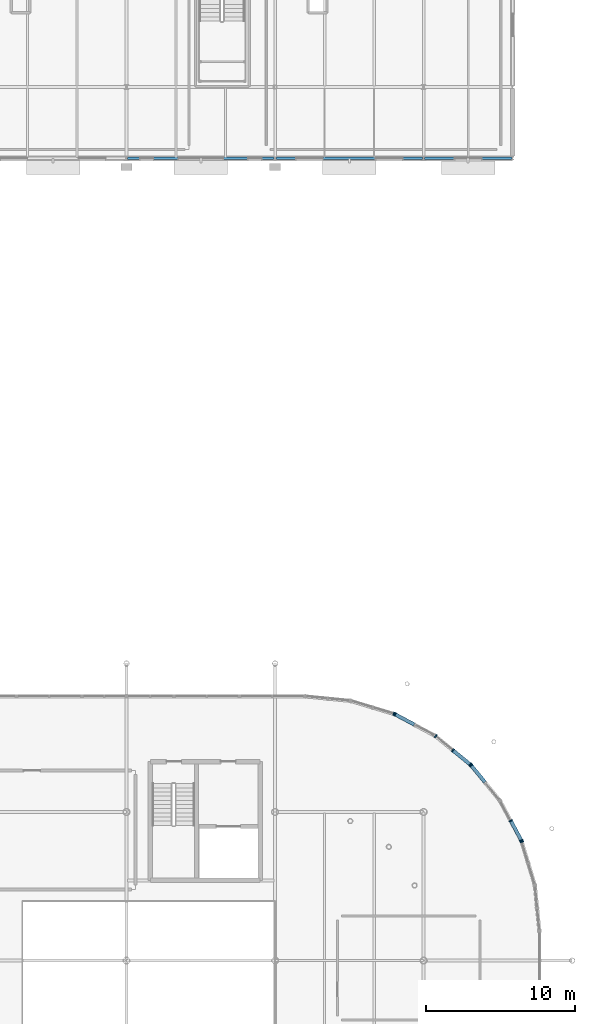
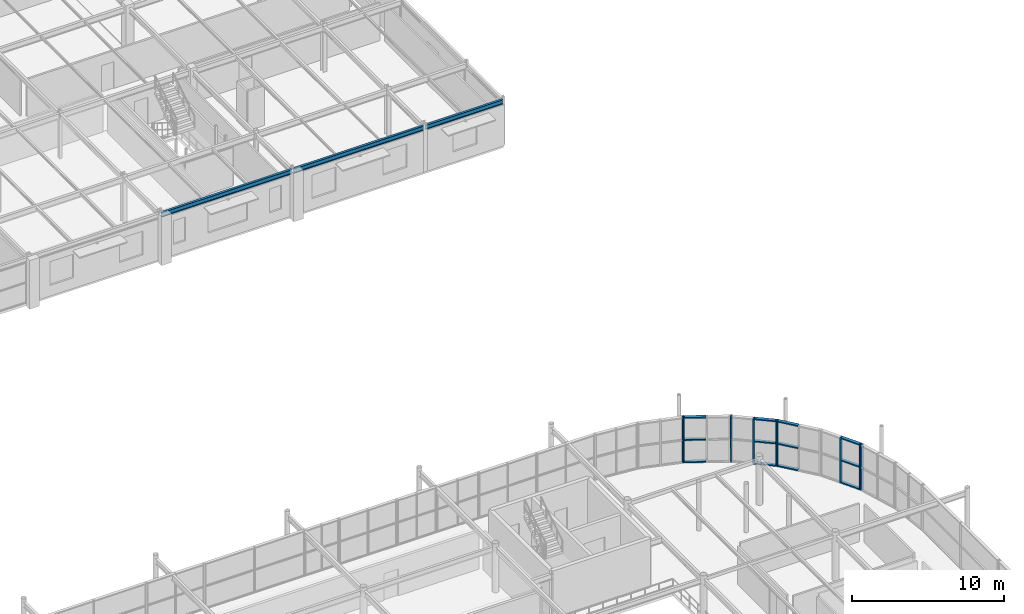
# One storey, part 62 of 98: 21 members, 3 beams, 6 elements without a shape of their own.
"""IFC4 building model written with IfcOpenShell, lengths in metres."""

from ifc_helpers import new_model, si_unit, derived_unit, direction, frame, origin, origin_2d_with_axis, place, context, subcontext, project, spatial, rectangle, i_section, extrude, material, material_profile, profile_set, type_object, element, aggregate, save


model = new_model("IFC4")

# Units and contexts
model_context = context("Model", 3, precision=1e-05, world=origin(), true_north=direction((0.0, 1.0)))
body_context = subcontext(model_context, "Body", "Model", "MODEL_VIEW")
ifc_project = project(units=[si_unit("LENGTHUNIT", "METRE"), si_unit("AREAUNIT", "SQUARE_METRE"), si_unit("VOLUMEUNIT", "CUBIC_METRE"), si_unit("PLANEANGLEUNIT", "RADIAN"), si_unit("MASSUNIT", "GRAM", prefix="KILO"), derived_unit("THERMALTRANSMITTANCEUNIT", [(si_unit("POWERUNIT", "WATT"), 1), (si_unit("LENGTHUNIT", "METRE"), -2), (si_unit("THERMODYNAMICTEMPERATUREUNIT", "KELVIN"), -1)])], contexts=[model_context])

# Site, building, storey
site_placement = place(None, origin())
site = spatial("IfcSite", under=ifc_project, at=site_placement, CompositionType="ELEMENT")
building_placement = place(site_placement, origin())
building = spatial("IfcBuilding", under=site, at=building_placement, Name="Cinnabar Yard Market Hall", CompositionType="ELEMENT")
storey_placement = place(building_placement, frame((0.0, 0.0, 4.5)))
storey = spatial("IfcBuildingStorey", under=building, at=storey_placement, Name="L01", CompositionType="ELEMENT", Elevation=4.5)

# Beams
ifc_material_1 = material(Name="Steel Grade 300 (300 MPa)", Category="steel")
ifc_material_profile_1 = material_profile(ifc_material_1, i_section(OverallWidth=0.172119140625, OverallDepth=0.358642578125, WebThickness=0.008056640625, FlangeThickness=0.012939453125, FilletRadius=0.011474609375, at=origin_2d_with_axis()), Name="360UB56.7")
ifc_profile_set_1 = profile_set([ifc_material_profile_1], Name="Steel Grade 300 (300 MPa)")
beam_type = type_object("IfcBeamType", Name="BM-SP02E", PredefinedType="SPANDREL", material=ifc_profile_set_1)
for number, where, z_axis, x_axis, name in (
    (1, (136.06005859375, 108.0, 3.470703125), (1.0, 0.0, 0.0), (0.0, 1.0, 0.0), "V3 L01 Girder X 01058"),
    (2, (146.06005859375, 108.0, 3.470703125), (1.0, 0.0, 0.0), (0.0, 1.0, 0.0), "V3 L01 Girder X 01063"),
):
    element("IfcBeam", number, at=place(storey_placement, frame(where, z_axis=z_axis, x_axis=x_axis)), inside=storey, type_object=beam_type, Name=name, PredefinedType="SPANDREL", context=body_context, shape_type="SweptSolid", body=[
        extrude(i_section(OverallWidth=0.172119140625, OverallDepth=0.358642578125, WebThickness=0.008056640625, FlangeThickness=0.012939453125, FilletRadius=0.011474609375, at=origin_2d_with_axis()), origin(), (0.0, 0.0, 1.0), 9.8798828125),
    ])
beam_placement = place(storey_placement, frame((156.06005859375, 108.0, 3.470703125), z_axis=(1.0, 0.0, 0.0), x_axis=(0.0, 1.0, 0.0)))
element("IfcBeam", 3, at=beam_placement, inside=storey, type_object=beam_type, Name="V3 L01 Girder X 01068", PredefinedType="SPANDREL", context=body_context, shape_type="SweptSolid", body=[
    extrude(i_section(OverallWidth=0.172119140625, OverallDepth=0.358642578125, WebThickness=0.008056640625, FlangeThickness=0.012939453125, FilletRadius=0.011474609375, at=origin_2d_with_axis()), origin(), (0.0, 0.0, 1.0), 5.8798828125),
])

# Curtain wall, member
ifc_material_2 = material(Name="Anodised bronze aluminium curved-chord facade", Category="aluminium")
curtain_wall_type = type_object("IfcCurtainWallType", Name="CW-CWC031x36", PredefinedType="NOTDEFINED", material=ifc_material_2)
curtain_wall_1_placement = place(storey_placement, origin())
curtain_wall_1 = element("IfcCurtainWall", 4, at=curtain_wall_1_placement, inside=storey, type_object=curtain_wall_type, Name="Corner NE Chord 2 L01", PredefinedType="NOTDEFINED")
ifc_material_3 = material(Name="Anodised bronze aluminium", Category="aluminium")
ifc_material_profile_2 = material_profile(ifc_material_3, rectangle(XDim=0.239990234375, YDim=0.090087890625, at=origin_2d_with_axis()), Name="MUL-CWC")
ifc_profile_set_2 = profile_set([ifc_material_profile_2], Name="Anodised bronze aluminium")
member_type_1 = type_object("IfcMemberType", Name="CWM-CWC", PredefinedType="MULLION", material=ifc_profile_set_2)
member_1_placement = place(storey_placement, frame((162.6103515625, 62.00341796875, 0.0), z_axis=(0.0, 0.0, 1.0), x_axis=(-0.956942090856, -0.290278891325, 0.0)))
member_1 = element("IfcMember", 5, at=member_1_placement, type_object=member_type_1, Name="CWC031x36 mullion 3", PredefinedType="MULLION", context=body_context, shape_type="SweptSolid", body=[
    extrude(rectangle(XDim=0.239990234375, YDim=0.090087890625, at=origin_2d_with_axis()), origin(), (0.0, 0.0, 1.0), 3.64990234375),
])
aggregate(curtain_wall_1, [member_1])

# Curtain wall, members
curtain_wall_2_placement = place(storey_placement, origin())
curtain_wall_2 = element("IfcCurtainWall", 6, at=curtain_wall_2_placement, inside=storey, type_object=curtain_wall_type, Name="Corner NE Chord 3 L01", PredefinedType="NOTDEFINED")
member_2_placement = place(storey_placement, frame((162.576171875, 62.086181640625, 0.0), z_axis=(0.0, 0.0, 1.0), x_axis=(-0.881917320707, -0.471404114786, 0.0)))
member_2 = element("IfcMember", 7, at=member_2_placement, type_object=member_type_1, Name="CWC031x36 mullion 1", PredefinedType="MULLION", context=body_context, shape_type="SweptSolid", body=[
    extrude(rectangle(XDim=0.239990234375, YDim=0.090087890625, at=origin_2d_with_axis()), origin(), (0.0, 0.0, 1.0), 3.64990234375),
])
member_3_placement = place(storey_placement, frame((161.8671875, 63.412109375, 0.0), z_axis=(0.0, 0.0, 1.0), x_axis=(-0.881917320707, -0.471404114786, 0.0)))
member_3 = element("IfcMember", 8, at=member_3_placement, type_object=member_type_1, Name="CWC031x36 mullion 2", PredefinedType="MULLION", context=body_context, shape_type="SweptSolid", body=[
    extrude(rectangle(XDim=0.239990234375, YDim=0.090087890625, at=origin_2d_with_axis()), origin(), (0.0, 0.0, 1.0), 3.64990234375),
])

# Curtain wall, member
curtain_wall_3_placement = place(storey_placement, origin())
curtain_wall_3 = element("IfcCurtainWall", 9, at=curtain_wall_3_placement, inside=storey, type_object=curtain_wall_type, Name="Corner NE Chord 4 L01", PredefinedType="NOTDEFINED")
member_4_placement = place(storey_placement, frame((159.200927734375, 67.137451171875, 0.0), z_axis=(0.0, 0.0, 1.0), x_axis=(-0.773018564222, -0.634383400924, 0.0)))
member_4 = element("IfcMember", 10, at=member_4_placement, type_object=member_type_1, Name="CWC031x36 mullion 3", PredefinedType="MULLION", context=body_context, shape_type="SweptSolid", body=[
    extrude(rectangle(XDim=0.239990234375, YDim=0.090087890625, at=origin_2d_with_axis()), origin(), (0.0, 0.0, 1.0), 3.64990234375),
])

# Curtain wall, members
curtain_wall_4_placement = place(storey_placement, origin())
curtain_wall_4 = element("IfcCurtainWall", 11, at=curtain_wall_4_placement, inside=storey, type_object=curtain_wall_type, Name="Corner NE Chord 5 L01", PredefinedType="NOTDEFINED")
member_5_placement = place(storey_placement, frame((159.137451171875, 67.200927734375, 0.0), z_axis=(0.0, 0.0, 1.0), x_axis=(-0.634383400924, -0.773018564222, 0.0)))
member_5 = element("IfcMember", 12, at=member_5_placement, type_object=member_type_1, Name="CWC031x36 mullion 1", PredefinedType="MULLION", context=body_context, shape_type="SweptSolid", body=[
    extrude(rectangle(XDim=0.239990234375, YDim=0.090087890625, at=origin_2d_with_axis()), origin(), (0.0, 0.0, 1.0), 3.64990234375),
])
member_6_placement = place(storey_placement, frame((157.97509765625, 68.15478515625, 0.0), z_axis=(0.0, 0.0, 1.0), x_axis=(-0.634383400924, -0.773018564222, 0.0)))
member_6 = element("IfcMember", 13, at=member_6_placement, type_object=member_type_1, Name="CWC031x36 mullion 2", PredefinedType="MULLION", context=body_context, shape_type="SweptSolid", body=[
    extrude(rectangle(XDim=0.239990234375, YDim=0.090087890625, at=origin_2d_with_axis()), origin(), (0.0, 0.0, 1.0), 3.64990234375),
])
member_7_placement = place(storey_placement, frame((156.812744140625, 69.108642578125, 0.0), z_axis=(0.0, 0.0, 1.0), x_axis=(-0.634383400924, -0.773018564222, 0.0)))
member_7 = element("IfcMember", 14, at=member_7_placement, type_object=member_type_1, Name="CWC031x36 mullion 3", PredefinedType="MULLION", context=body_context, shape_type="SweptSolid", body=[
    extrude(rectangle(XDim=0.239990234375, YDim=0.090087890625, at=origin_2d_with_axis()), origin(), (0.0, 0.0, 1.0), 3.64990234375),
])

# Curtain wall, member
curtain_wall_5_placement = place(storey_placement, origin())
curtain_wall_5 = element("IfcCurtainWall", 15, at=curtain_wall_5_placement, inside=storey, type_object=curtain_wall_type, Name="Corner NE Chord 6 L01", PredefinedType="NOTDEFINED")
member_8_placement = place(storey_placement, frame((154.086181640625, 70.576171875, 0.0), z_axis=(0.0, 0.0, 1.0), x_axis=(-0.471404114786, -0.881917320707, 0.0)))
member_8 = element("IfcMember", 16, at=member_8_placement, type_object=member_type_1, Name="CWC031x36 mullion 3", PredefinedType="MULLION", context=body_context, shape_type="SweptSolid", body=[
    extrude(rectangle(XDim=0.239990234375, YDim=0.090087890625, at=origin_2d_with_axis()), origin(), (0.0, 0.0, 1.0), 3.64990234375),
])

curtain_wall_6_placement = place(storey_placement, origin())
curtain_wall_6 = element("IfcCurtainWall", 17, at=curtain_wall_6_placement, inside=storey, type_object=curtain_wall_type, Name="Corner NE Chord 7 L01", PredefinedType="NOTDEFINED")
member_9_placement = place(storey_placement, frame((154.00341796875, 70.6103515625, 0.0), z_axis=(0.0, 0.0, 1.0), x_axis=(-0.290278891325, -0.956942090856, 0.0)))
member_9 = element("IfcMember", 18, at=member_9_placement, type_object=member_type_1, Name="CWC031x36 mullion 1", PredefinedType="MULLION", context=body_context, shape_type="SweptSolid", body=[
    extrude(rectangle(XDim=0.239990234375, YDim=0.090087890625, at=origin_2d_with_axis()), origin(), (0.0, 0.0, 1.0), 3.64990234375),
])
aggregate(curtain_wall_6, [member_9])

# Member
ifc_material_profile_3 = material_profile(ifc_material_3, rectangle(XDim=0.239990234375, YDim=0.090087890625, at=origin_2d_with_axis()), Name="TRN-CWC")
ifc_profile_set_3 = profile_set([ifc_material_profile_3], Name="Anodised bronze aluminium")
member_type_2 = type_object("IfcMemberType", Name="CWT-CWC", PredefinedType="USERDEFINED", material=ifc_profile_set_3)
member_10_placement = place(storey_placement, frame((162.554931640625, 62.125732421875, 0.044921875), z_axis=(-0.471430533224, 0.881903198965, 0.0), x_axis=(-0.881903198965, -0.471430533224, 0.0)))
member_10 = element("IfcMember", 19, at=member_10_placement, type_object=member_type_2, Name="CWC031x36 transom 1.1", ObjectType="TRANSOM", PredefinedType="USERDEFINED", context=body_context, shape_type="SweptSolid", body=[
    extrude(rectangle(XDim=0.239990234375, YDim=0.090087890625, at=origin_2d_with_axis()), origin(), (0.0, 0.0, 1.0), 1.413818359375),
])

member_11_placement = place(storey_placement, frame((162.554931640625, 62.125732421875, 1.824951171875), z_axis=(-0.471430533224, 0.881903198965, 0.0), x_axis=(-0.881903198965, -0.471430533224, 0.0)))
member_11 = element("IfcMember", 20, at=member_11_placement, type_object=member_type_2, Name="CWC031x36 transom 1.2", ObjectType="TRANSOM", PredefinedType="USERDEFINED", context=body_context, shape_type="SweptSolid", body=[
    extrude(rectangle(XDim=0.239990234375, YDim=0.090087890625, at=origin_2d_with_axis()), origin(), (0.0, 0.0, 1.0), 1.413818359375),
])

member_12_placement = place(storey_placement, frame((162.554931640625, 62.125732421875, 3.60498046875), z_axis=(-0.471430533224, 0.881903198965, 0.0), x_axis=(-0.881903198965, -0.471430533224, 0.0)))
member_12 = element("IfcMember", 21, at=member_12_placement, type_object=member_type_2, Name="CWC031x36 transom 1.3", ObjectType="TRANSOM", PredefinedType="USERDEFINED", context=body_context, shape_type="SweptSolid", body=[
    extrude(rectangle(XDim=0.239990234375, YDim=0.090087890625, at=origin_2d_with_axis()), origin(), (0.0, 0.0, 1.0), 1.413818359375),
])

aggregate(curtain_wall_2, [member_2, member_3, member_10, member_11, member_12])

member_13_placement = place(storey_placement, frame((160.126220703125, 66.010009765625, 0.044921875), z_axis=(-0.634356309919, 0.773040795861, 0.0), x_axis=(-0.773040795861, -0.634356309919, 0.0)))
member_13 = element("IfcMember", 22, at=member_13_placement, type_object=member_type_2, Name="CWC031x36 transom 2.1", ObjectType="TRANSOM", PredefinedType="USERDEFINED", context=body_context, shape_type="SweptSolid", body=[
    extrude(rectangle(XDim=0.239990234375, YDim=0.090087890625, at=origin_2d_with_axis()), origin(), (0.0, 0.0, 1.0), 1.41357421875),
])

member_14_placement = place(storey_placement, frame((160.126220703125, 66.010009765625, 1.824951171875), z_axis=(-0.634356309919, 0.773040795861, 0.0), x_axis=(-0.773040795861, -0.634356309919, 0.0)))
member_14 = element("IfcMember", 23, at=member_14_placement, type_object=member_type_2, Name="CWC031x36 transom 2.2", ObjectType="TRANSOM", PredefinedType="USERDEFINED", context=body_context, shape_type="SweptSolid", body=[
    extrude(rectangle(XDim=0.239990234375, YDim=0.090087890625, at=origin_2d_with_axis()), origin(), (0.0, 0.0, 1.0), 1.41357421875),
])

member_15_placement = place(storey_placement, frame((160.126220703125, 66.010009765625, 3.60498046875), z_axis=(-0.634356309919, 0.773040795861, 0.0), x_axis=(-0.773040795861, -0.634356309919, 0.0)))
member_15 = element("IfcMember", 24, at=member_15_placement, type_object=member_type_2, Name="CWC031x36 transom 2.3", ObjectType="TRANSOM", PredefinedType="USERDEFINED", context=body_context, shape_type="SweptSolid", body=[
    extrude(rectangle(XDim=0.239990234375, YDim=0.090087890625, at=origin_2d_with_axis()), origin(), (0.0, 0.0, 1.0), 1.41357421875),
])

aggregate(curtain_wall_3, [member_4, member_13, member_14, member_15])

member_16_placement = place(storey_placement, frame((159.102783203125, 67.2294921875, 0.044921875), z_axis=(-0.773040795861, 0.634356309919, 0.0), x_axis=(-0.634356309919, -0.773040795861, 0.0)))
member_16 = element("IfcMember", 25, at=member_16_placement, type_object=member_type_2, Name="CWC031x36 transom 1.1", ObjectType="TRANSOM", PredefinedType="USERDEFINED", context=body_context, shape_type="SweptSolid", body=[
    extrude(rectangle(XDim=0.239990234375, YDim=0.090087890625, at=origin_2d_with_axis()), origin(), (0.0, 0.0, 1.0), 1.41357421875),
])

member_17_placement = place(storey_placement, frame((159.102783203125, 67.2294921875, 1.824951171875), z_axis=(-0.773040795861, 0.634356309919, 0.0), x_axis=(-0.634356309919, -0.773040795861, 0.0)))
member_17 = element("IfcMember", 26, at=member_17_placement, type_object=member_type_2, Name="CWC031x36 transom 1.2", ObjectType="TRANSOM", PredefinedType="USERDEFINED", context=body_context, shape_type="SweptSolid", body=[
    extrude(rectangle(XDim=0.239990234375, YDim=0.090087890625, at=origin_2d_with_axis()), origin(), (0.0, 0.0, 1.0), 1.41357421875),
])

member_18_placement = place(storey_placement, frame((159.102783203125, 67.2294921875, 3.60498046875), z_axis=(-0.773040795861, 0.634356309919, 0.0), x_axis=(-0.634356309919, -0.773040795861, 0.0)))
member_18 = element("IfcMember", 27, at=member_18_placement, type_object=member_type_2, Name="CWC031x36 transom 1.3", ObjectType="TRANSOM", PredefinedType="USERDEFINED", context=body_context, shape_type="SweptSolid", body=[
    extrude(rectangle(XDim=0.239990234375, YDim=0.090087890625, at=origin_2d_with_axis()), origin(), (0.0, 0.0, 1.0), 1.41357421875),
])

aggregate(curtain_wall_4, [member_5, member_6, member_7, member_16, member_17, member_18])

member_19_placement = place(storey_placement, frame((155.37255859375, 69.888427734375, 0.044921875), z_axis=(-0.881903198965, 0.471430533224, 0.0), x_axis=(-0.471430533224, -0.881903198965, 0.0)))
member_19 = element("IfcMember", 28, at=member_19_placement, type_object=member_type_2, Name="CWC031x36 transom 2.1", ObjectType="TRANSOM", PredefinedType="USERDEFINED", context=body_context, shape_type="SweptSolid", body=[
    extrude(rectangle(XDim=0.239990234375, YDim=0.090087890625, at=origin_2d_with_axis()), origin(), (0.0, 0.0, 1.0), 1.413818359375),
])

member_20_placement = place(storey_placement, frame((155.37255859375, 69.888427734375, 1.824951171875), z_axis=(-0.881903198965, 0.471430533224, 0.0), x_axis=(-0.471430533224, -0.881903198965, 0.0)))
member_20 = element("IfcMember", 29, at=member_20_placement, type_object=member_type_2, Name="CWC031x36 transom 2.2", ObjectType="TRANSOM", PredefinedType="USERDEFINED", context=body_context, shape_type="SweptSolid", body=[
    extrude(rectangle(XDim=0.239990234375, YDim=0.090087890625, at=origin_2d_with_axis()), origin(), (0.0, 0.0, 1.0), 1.413818359375),
])

member_21_placement = place(storey_placement, frame((155.37255859375, 69.888427734375, 3.60498046875), z_axis=(-0.881903198965, 0.471430533224, 0.0), x_axis=(-0.471430533224, -0.881903198965, 0.0)))
member_21 = element("IfcMember", 30, at=member_21_placement, type_object=member_type_2, Name="CWC031x36 transom 2.3", ObjectType="TRANSOM", PredefinedType="USERDEFINED", context=body_context, shape_type="SweptSolid", body=[
    extrude(rectangle(XDim=0.239990234375, YDim=0.090087890625, at=origin_2d_with_axis()), origin(), (0.0, 0.0, 1.0), 1.413818359375),
])

aggregate(curtain_wall_5, [member_8, member_19, member_20, member_21])

save(model, "model.ifc")
